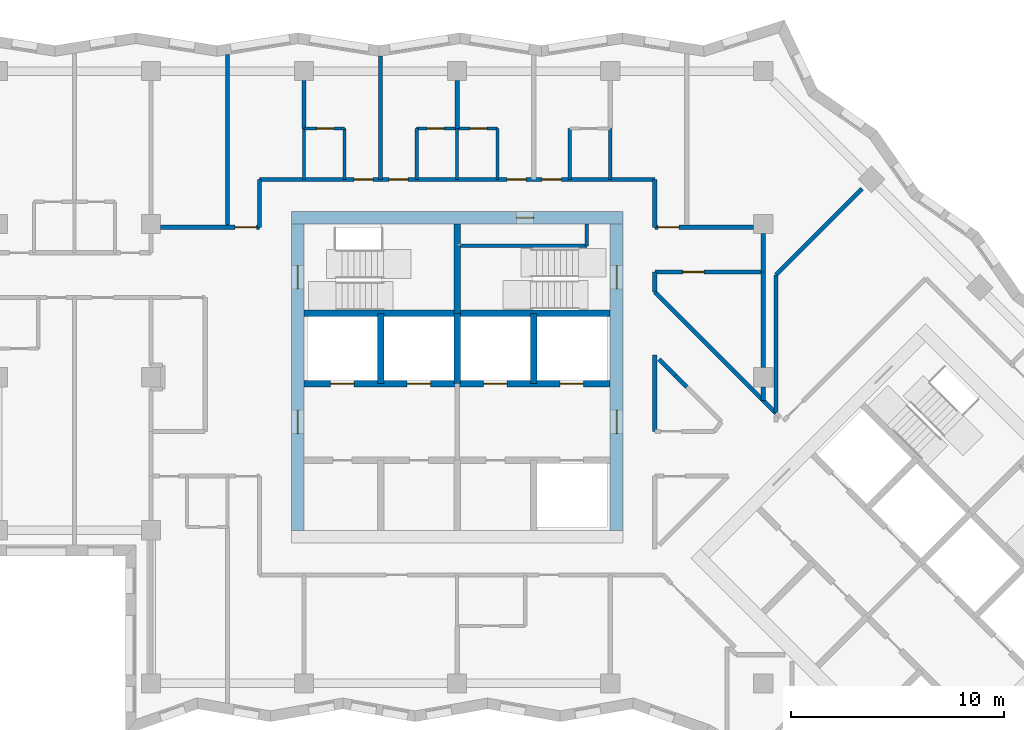
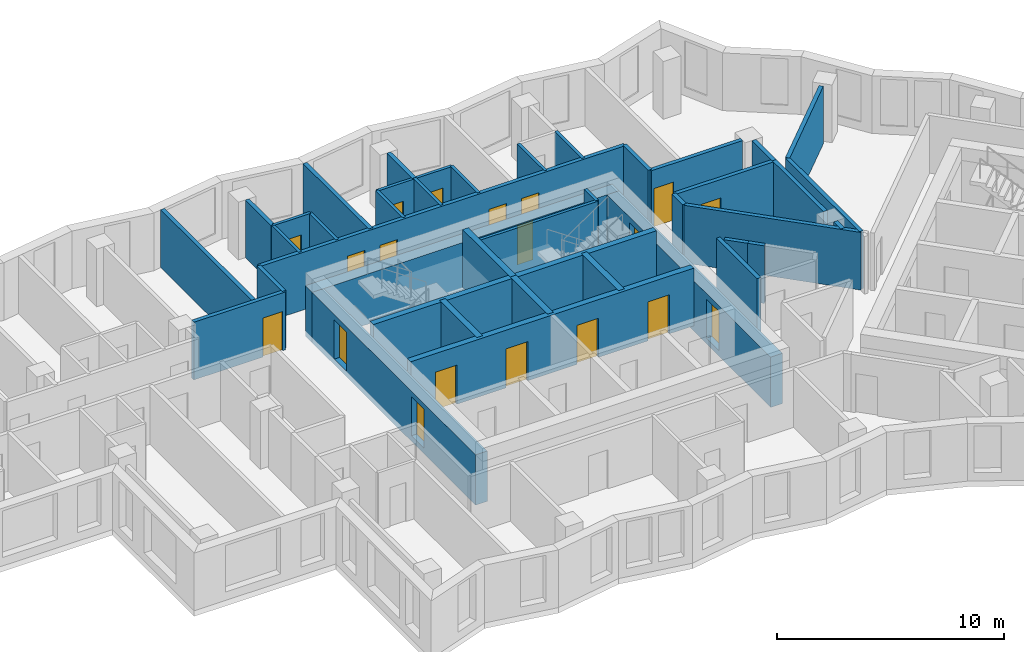
# One storey, part 6 of 12: 41 walls, 19 doors, 19 openings.
"""IFC4 building model written with IfcOpenShell, lengths in metres."""

from ifc_helpers import new_model, si_unit, direction, frame, frame_2d, origin, place, context, subcontext, project, spatial, rectangle, extrude, material, layer, layer_set, type_object, element, fill, save


model = new_model("IFC4")

# Units and contexts
model_context = context("Model", 3, precision=1e-05, world=origin(), true_north=direction((0.0, 1.0)))
body_context = subcontext(model_context, "Body", "Model", "MODEL_VIEW")
ifc_project = project(units=[si_unit("LENGTHUNIT", "METRE"), si_unit("AREAUNIT", "SQUARE_METRE"), si_unit("VOLUMEUNIT", "CUBIC_METRE"), si_unit("PLANEANGLEUNIT", "RADIAN"), si_unit("MASSUNIT", "GRAM", prefix="KILO")], contexts=[model_context])

# Site, building, storey
site_placement = place(None, origin())
site = spatial("IfcSite", under=ifc_project, at=site_placement, CompositionType="ELEMENT")
building_placement = place(site_placement, origin())
building = spatial("IfcBuilding", under=site, at=building_placement, Name="Windrow Commons", CompositionType="ELEMENT")
storey_placement = place(building_placement, frame((0.0, 0.0, 169.4)))
storey = spatial("IfcBuildingStorey", under=building, at=storey_placement, Name="L46", CompositionType="ELEMENT", Elevation=169.4)

# Wall, openings, doors
ifc_material_1 = material(Name="Blockwork partition", Category="masonry")
ifc_layer_1 = layer(ifc_material_1, 0.2)
ifc_layer_set_1 = layer_set([ifc_layer_1], Name="IW-CORRIDOR-200")
wall_type_1 = type_object("IfcWallType", Name="IW-CORRIDOR-200", PredefinedType="PARTITIONING", material=ifc_layer_set_1)
wall_1_placement = place(storey_placement, frame((55.5, 66.9, 0.0), z_axis=(0.0, 0.0, 1.0), x_axis=(1.0, 0.0, 0.0)))
wall_1 = element("IfcWall", 1, at=wall_1_placement, inside=storey, type_object=wall_type_1, Name="W-L46-W002", PredefinedType="PARTITIONING", context=body_context, shape_type="SweptSolid", body=[
    extrude(rectangle(XDim=18.6, YDim=0.2, at=frame_2d((9.3, 0.0))), origin(), (0.0, 0.0, 1.0), 3.1),
])
opening_1_placement = place(wall_1_placement, frame((4.45, 0.0, 0.0)))
opening_1 = element("IfcOpeningElement", 2, at=opening_1_placement, cuts=wall_1, Name="Opening D109S", PredefinedType="OPENING", context=body_context, shape_type="SweptSolid", body=[
    extrude(rectangle(XDim=0.9, YDim=2.1, at=frame_2d((0.45, 1.05))), frame((0.0, 0.11, 0.0), z_axis=(0.0, -1.0, 0.0), x_axis=(1.0, 0.0, 0.0)), (0.0, 0.0, 1.0), 0.22),
])
opening_2_placement = place(wall_1_placement, frame((6.1, 0.0, 0.0)))
opening_2 = element("IfcOpeningElement", 3, at=opening_2_placement, cuts=wall_1, Name="Opening D109S", PredefinedType="OPENING", context=body_context, shape_type="SweptSolid", body=[
    extrude(rectangle(XDim=0.9, YDim=2.1, at=frame_2d((0.45, 1.05))), frame((0.0, 0.11, 0.0), z_axis=(0.0, -1.0, 0.0), x_axis=(1.0, 0.0, 0.0)), (0.0, 0.0, 1.0), 0.22),
])
opening_3_placement = place(wall_1_placement, frame((11.65, 0.0, 0.0)))
opening_3 = element("IfcOpeningElement", 4, at=opening_3_placement, cuts=wall_1, Name="Opening D109S", PredefinedType="OPENING", context=body_context, shape_type="SweptSolid", body=[
    extrude(rectangle(XDim=0.9, YDim=2.1, at=frame_2d((0.45, 1.05))), frame((0.0, 0.11, 0.0), z_axis=(0.0, -1.0, 0.0), x_axis=(1.0, 0.0, 0.0)), (0.0, 0.0, 1.0), 0.22),
])
opening_4_placement = place(wall_1_placement, frame((13.3, 0.0, 0.0)))
opening_4 = element("IfcOpeningElement", 5, at=opening_4_placement, cuts=wall_1, Name="Opening D109S", PredefinedType="OPENING", context=body_context, shape_type="SweptSolid", body=[
    extrude(rectangle(XDim=0.9, YDim=2.1, at=frame_2d((0.45, 1.05))), frame((0.0, 0.11, 0.0), z_axis=(0.0, -1.0, 0.0), x_axis=(1.0, 0.0, 0.0)), (0.0, 0.0, 1.0), 0.22),
])
ifc_material_2 = material(Name="Timber door leaf", Category="wood")
door_type_1 = type_object("IfcDoorType", Name="DT-BEDROOM-900", OperationType="SINGLE_SWING_LEFT", PredefinedType="DOOR", material=ifc_material_2)
door_1_placement = place(opening_1_placement, origin())
door_1 = element("IfcDoor", 6, at=door_1_placement, inside=storey, type_object=door_type_1, Name="D-L46-D028", OperationType="SINGLE_SWING_RIGHT", OverallHeight=2.1, OverallWidth=0.9, PredefinedType="DOOR", context=body_context, shape_type="SweptSolid", body=[
    extrude(rectangle(XDim=0.9, YDim=2.1, at=frame_2d((0.45, 1.05))), frame((0.0, 0.025, 0.0), z_axis=(0.0, -1.0, 0.0), x_axis=(1.0, 0.0, 0.0)), (0.0, 0.0, 1.0), 0.05),
])
fill(opening_1, door_1)
door_2_placement = place(opening_2_placement, origin())
door_2 = element("IfcDoor", 7, at=door_2_placement, inside=storey, type_object=door_type_1, Name="D-L46-D030", OperationType="SINGLE_SWING_LEFT", OverallHeight=2.1, OverallWidth=0.9, PredefinedType="DOOR", context=body_context, shape_type="SweptSolid", body=[
    extrude(rectangle(XDim=0.9, YDim=2.1, at=frame_2d((0.45, 1.05))), frame((0.0, 0.025, 0.0), z_axis=(0.0, -1.0, 0.0), x_axis=(1.0, 0.0, 0.0)), (0.0, 0.0, 1.0), 0.05),
])
fill(opening_2, door_2)
door_3_placement = place(opening_3_placement, origin())
door_3 = element("IfcDoor", 8, at=door_3_placement, inside=storey, type_object=door_type_1, Name="D-L46-D032", OperationType="SINGLE_SWING_RIGHT", OverallHeight=2.1, OverallWidth=0.9, PredefinedType="DOOR", context=body_context, shape_type="SweptSolid", body=[
    extrude(rectangle(XDim=0.9, YDim=2.1, at=frame_2d((0.45, 1.05))), frame((0.0, 0.025, 0.0), z_axis=(0.0, -1.0, 0.0), x_axis=(1.0, 0.0, 0.0)), (0.0, 0.0, 1.0), 0.05),
])
fill(opening_3, door_3)
door_4_placement = place(opening_4_placement, origin())
door_4 = element("IfcDoor", 9, at=door_4_placement, inside=storey, type_object=door_type_1, Name="D-L46-D034", OperationType="SINGLE_SWING_LEFT", OverallHeight=2.1, OverallWidth=0.9, PredefinedType="DOOR", context=body_context, shape_type="SweptSolid", body=[
    extrude(rectangle(XDim=0.9, YDim=2.1, at=frame_2d((0.45, 1.05))), frame((0.0, 0.025, 0.0), z_axis=(0.0, -1.0, 0.0), x_axis=(1.0, 0.0, 0.0)), (0.0, 0.0, 1.0), 0.05),
])
fill(opening_4, door_4)

# Wall
wall_2_placement = place(storey_placement, frame((74.097, 61.611, 0.0), z_axis=(0.0, 0.0, 1.0), x_axis=(0.7071067812, -0.7071067812, 0.0)))
element("IfcWall", 10, at=wall_2_placement, inside=storey, type_object=wall_type_1, Name="W-L46-W016", PredefinedType="PARTITIONING", context=body_context, shape_type="SweptSolid", body=[
    extrude(rectangle(XDim=8.061, YDim=0.2, at=frame_2d((4.0305, 0.0))), origin(), (0.0, 0.0, 1.0), 3.1),
])

# Wall, opening, door
wall_3_placement = place(storey_placement, frame((74.102, 62.55, 0.0), z_axis=(0.0, 0.0, 1.0), x_axis=(1.0, 0.0, 0.0)))
wall_3 = element("IfcWall", 11, at=wall_3_placement, inside=storey, type_object=wall_type_1, Name="W-L46-W036", PredefinedType="PARTITIONING", context=body_context, shape_type="SweptSolid", body=[
    extrude(rectangle(XDim=5.098, YDim=0.2, at=frame_2d((2.549, 0.0))), origin(), (0.0, 0.0, 1.0), 3.1),
])
opening_5_placement = place(wall_3_placement, frame((1.3192, 0.0, 0.0)))
opening_5 = element("IfcOpeningElement", 12, at=opening_5_placement, cuts=wall_3, Name="Opening D310F", PredefinedType="OPENING", context=body_context, shape_type="SweptSolid", body=[
    extrude(rectangle(XDim=1.0, YDim=2.1, at=frame_2d((0.5, 1.05))), frame((0.0, 0.11, 0.0), z_axis=(0.0, -1.0, 0.0), x_axis=(1.0, 0.0, 0.0)), (0.0, 0.0, 1.0), 0.22),
])
ifc_material_3 = material(Name="Timber door leaf", Category="wood")
door_type_2 = type_object("IfcDoorType", Name="DT-AMENITY-1000", OperationType="SINGLE_SWING_LEFT", PredefinedType="DOOR", material=ifc_material_3)
door_5_placement = place(opening_5_placement, origin())
door_5 = element("IfcDoor", 13, at=door_5_placement, inside=storey, type_object=door_type_2, Name="D-L46-D040", OperationType="SINGLE_SWING_RIGHT", OverallHeight=2.1, OverallWidth=1.0, PredefinedType="DOOR", context=body_context, shape_type="SweptSolid", body=[
    extrude(rectangle(XDim=1.0, YDim=2.1, at=frame_2d((0.5, 1.05))), frame((0.0, 0.025, 0.0), z_axis=(0.0, -1.0, 0.0), x_axis=(1.0, 0.0, 0.0)), (0.0, 0.0, 1.0), 0.05),
])
fill(opening_5, door_5)

wall_4_placement = place(storey_placement, frame((50.85, 64.65, 0.0), z_axis=(0.0, 0.0, 1.0), x_axis=(1.0, 0.0, 0.0)))
wall_4 = element("IfcWall", 14, at=wall_4_placement, inside=storey, type_object=wall_type_1, Name="W-L46-W041", PredefinedType="PARTITIONING", context=body_context, shape_type="SweptSolid", body=[
    extrude(rectangle(XDim=4.65, YDim=0.2, at=frame_2d((2.325, 0.0))), origin(), (0.0, 0.0, 1.0), 3.1),
])
opening_6_placement = place(wall_4_placement, frame((3.5085, 0.0, 0.0)))
opening_6 = element("IfcOpeningElement", 15, at=opening_6_placement, cuts=wall_4, Name="Opening D310F", PredefinedType="OPENING", context=body_context, shape_type="SweptSolid", body=[
    extrude(rectangle(XDim=1.0, YDim=2.1, at=frame_2d((0.5, 1.05))), frame((0.0, 0.11, 0.0), z_axis=(0.0, -1.0, 0.0), x_axis=(1.0, 0.0, 0.0)), (0.0, 0.0, 1.0), 0.22),
])
door_6_placement = place(opening_6_placement, origin())
door_6 = element("IfcDoor", 16, at=door_6_placement, inside=storey, type_object=door_type_2, Name="D-L46-D022", OperationType="SINGLE_SWING_LEFT", OverallHeight=2.1, OverallWidth=1.0, PredefinedType="DOOR", context=body_context, shape_type="SweptSolid", body=[
    extrude(rectangle(XDim=1.0, YDim=2.1, at=frame_2d((0.5, 1.05))), frame((0.0, 0.025, 0.0), z_axis=(0.0, -1.0, 0.0), x_axis=(1.0, 0.0, 0.0)), (0.0, 0.0, 1.0), 0.05),
])
fill(opening_6, door_6)

wall_5_placement = place(storey_placement, frame((74.102, 64.65, 0.0), z_axis=(0.0, 0.0, 1.0), x_axis=(1.0, 0.0, 0.0)))
wall_5 = element("IfcWall", 17, at=wall_5_placement, inside=storey, type_object=wall_type_1, Name="W-L46-W044", PredefinedType="PARTITIONING", context=body_context, shape_type="SweptSolid", body=[
    extrude(rectangle(XDim=4.648, YDim=0.2, at=frame_2d((2.324, 0.0))), origin(), (0.0, 0.0, 1.0), 3.1),
])
opening_7_placement = place(wall_5_placement, frame((0.1395, 0.0, 0.0)))
opening_7 = element("IfcOpeningElement", 18, at=opening_7_placement, cuts=wall_5, Name="Opening D310F", PredefinedType="OPENING", context=body_context, shape_type="SweptSolid", body=[
    extrude(rectangle(XDim=1.0, YDim=2.1, at=frame_2d((0.5, 1.05))), frame((0.0, 0.11, 0.0), z_axis=(0.0, -1.0, 0.0), x_axis=(1.0, 0.0, 0.0)), (0.0, 0.0, 1.0), 0.22),
])
door_7_placement = place(opening_7_placement, origin())
door_7 = element("IfcDoor", 19, at=door_7_placement, inside=storey, type_object=door_type_2, Name="D-L46-D023", OperationType="SINGLE_SWING_RIGHT", OverallHeight=2.1, OverallWidth=1.0, PredefinedType="DOOR", context=body_context, shape_type="SweptSolid", body=[
    extrude(rectangle(XDim=1.0, YDim=2.1, at=frame_2d((0.5, 1.05))), frame((0.0, 0.025, 0.0), z_axis=(0.0, -1.0, 0.0), x_axis=(1.0, 0.0, 0.0)), (0.0, 0.0, 1.0), 0.05),
])
fill(opening_7, door_7)

# Walls
wall_6_placement = place(storey_placement, frame((74.1, 55.05, 0.0), z_axis=(0.0, 0.0, 1.0), x_axis=(0.0, 1.0, 0.0)))
element("IfcWall", 20, at=wall_6_placement, inside=storey, type_object=wall_type_1, Name="W-L46-W054", PredefinedType="PARTITIONING", context=body_context, shape_type="SweptSolid", body=[
    extrude(rectangle(XDim=3.592, YDim=0.2, at=frame_2d((1.796, 0.0))), origin(), (0.0, 0.0, 1.0), 3.1),
])
for number, where, z_axis, x_axis, name in (
    (21, (55.5, 64.652, 0.0), (0.0, 0.0, 1.0), (0.0, 1.0, 0.0), "W-L46-W107"),
    (22, (74.1, 64.652, 0.0), (0.0, 0.0, 1.0), (0.0, 1.0, 0.0), "W-L46-W108"),
):
    element("IfcWall", number, at=place(storey_placement, frame(where, z_axis=z_axis, x_axis=x_axis)), inside=storey, type_object=wall_type_1, Name=name, PredefinedType="PARTITIONING", context=body_context, shape_type="SweptSolid", body=[
        extrude(rectangle(XDim=2.248, YDim=0.2, at=frame_2d((1.124, 0.0))), origin(), (0.0, 0.0, 1.0), 3.1),
    ])
wall_7_placement = place(storey_placement, frame((79.2, 62.55, 0.0), z_axis=(0.0, 0.0, 1.0), x_axis=(0.0, 1.0, 0.0)))
element("IfcWall", 23, at=wall_7_placement, inside=storey, type_object=wall_type_1, Name="W-L46-W127", PredefinedType="PARTITIONING", context=body_context, shape_type="SweptSolid", body=[
    extrude(rectangle(XDim=1.8, YDim=0.2, at=frame_2d((0.9, 0.0))), origin(), (0.0, 0.0, 1.0), 3.1),
])
wall_8_placement = place(storey_placement, frame((74.3004, 58.4444, 0.0), z_axis=(0.0, 0.0, 1.0), x_axis=(0.7080329185, -0.7061794292, 0.0)))
element("IfcWall", 24, at=wall_8_placement, inside=storey, type_object=wall_type_1, Name="W-L46-W131", PredefinedType="PARTITIONING", context=body_context, shape_type="SweptSolid", body=[
    extrude(rectangle(XDim=1.079, YDim=0.2, at=frame_2d((0.5395, 0.0))), origin(), (0.0, 0.0, 1.0), 3.1),
])
wall_9_placement = place(storey_placement, frame((74.1, 61.614, 0.0), z_axis=(0.0, 0.0, 1.0), x_axis=(0.0, 1.0, 0.0)))
element("IfcWall", 25, at=wall_9_placement, inside=storey, type_object=wall_type_1, Name="W-L46-W136", PredefinedType="PARTITIONING", context=body_context, shape_type="SweptSolid", body=[
    extrude(rectangle(XDim=0.936, YDim=0.2, at=frame_2d((0.468, 0.0))), origin(), (0.0, 0.0, 1.0), 3.1),
])
wall_10_placement = place(storey_placement, frame((75.0652, 57.6832, 0.0), z_axis=(0.0, 0.0, 1.0), x_axis=(0.705788785, -0.7084223253, 0.0)))
element("IfcWall", 26, at=wall_10_placement, inside=storey, type_object=wall_type_1, Name="W-L46-W143", PredefinedType="PARTITIONING", context=body_context, shape_type="SweptSolid", body=[
    extrude(rectangle(XDim=0.7594, YDim=0.2, at=frame_2d((0.3797, 0.0))), origin(), (0.0, 0.0, 1.0), 3.1),
])

# Wall, openings, doors
ifc_material_4 = material(Name="Blockwork partition", Category="masonry")
ifc_layer_2 = layer(ifc_material_4, 0.15)
ifc_layer_set_2 = layer_set([ifc_layer_2], Name="IW-ENSUITE-150")
wall_type_2 = type_object("IfcWallType", Name="IW-ENSUITE-150", PredefinedType="PARTITIONING", material=ifc_layer_set_2)
wall_11_placement = place(storey_placement, frame((62.9, 69.3, 0.0), z_axis=(0.0, 0.0, 1.0), x_axis=(1.0, 0.0, 0.0)))
wall_11 = element("IfcWall", 27, at=wall_11_placement, inside=storey, type_object=wall_type_2, Name="W-L46-W052", PredefinedType="PARTITIONING", context=body_context, shape_type="SweptSolid", body=[
    extrude(rectangle(XDim=3.8, YDim=0.15, at=frame_2d((1.9, 0.0))), origin(), (0.0, 0.0, 1.0), 3.1),
])
opening_8_placement = place(wall_11_placement, frame((0.4931, 0.0, 0.0)))
opening_8 = element("IfcOpeningElement", 28, at=opening_8_placement, cuts=wall_11, Name="Opening D208N", PredefinedType="OPENING", context=body_context, shape_type="SweptSolid", body=[
    extrude(rectangle(XDim=0.8, YDim=2.1, at=frame_2d((0.4, 1.05))), frame((0.0, 0.085, 0.0), z_axis=(0.0, -1.0, 0.0), x_axis=(1.0, 0.0, 0.0)), (0.0, 0.0, 1.0), 0.17),
])
opening_9_placement = place(wall_11_placement, frame((2.5069, 0.0, 0.0)))
opening_9 = element("IfcOpeningElement", 29, at=opening_9_placement, cuts=wall_11, Name="Opening D208N", PredefinedType="OPENING", context=body_context, shape_type="SweptSolid", body=[
    extrude(rectangle(XDim=0.8, YDim=2.1, at=frame_2d((0.4, 1.05))), frame((0.0, 0.085, 0.0), z_axis=(0.0, -1.0, 0.0), x_axis=(1.0, 0.0, 0.0)), (0.0, 0.0, 1.0), 0.17),
])
ifc_material_5 = material(Name="Timber door leaf", Category="wood")
door_type_3 = type_object("IfcDoorType", Name="DT-ENSUITE-800", OperationType="SINGLE_SWING_LEFT", PredefinedType="DOOR", material=ifc_material_5)
door_8_placement = place(opening_8_placement, origin())
door_8 = element("IfcDoor", 30, at=door_8_placement, inside=storey, type_object=door_type_3, Name="D-L46-D031", OperationType="SINGLE_SWING_RIGHT", OverallHeight=2.1, OverallWidth=0.8, PredefinedType="DOOR", context=body_context, shape_type="SweptSolid", body=[
    extrude(rectangle(XDim=0.8, YDim=2.1, at=frame_2d((0.4, 1.05))), frame((0.0, 0.025, 0.0), z_axis=(0.0, -1.0, 0.0), x_axis=(1.0, 0.0, 0.0)), (0.0, 0.0, 1.0), 0.05),
])
fill(opening_8, door_8)
door_9_placement = place(opening_9_placement, origin())
door_9 = element("IfcDoor", 31, at=door_9_placement, inside=storey, type_object=door_type_3, Name="D-L46-D033", OperationType="SINGLE_SWING_RIGHT", OverallHeight=2.1, OverallWidth=0.8, PredefinedType="DOOR", context=body_context, shape_type="SweptSolid", body=[
    extrude(rectangle(XDim=0.8, YDim=2.1, at=frame_2d((0.4, 1.05))), frame((0.0, 0.025, 0.0), z_axis=(0.0, -1.0, 0.0), x_axis=(1.0, 0.0, 0.0)), (0.0, 0.0, 1.0), 0.05),
])
fill(opening_9, door_9)

# Walls
for number, where, z_axis, x_axis, name in (
    (32, (57.6, 66.9, 0.0), (0.0, 0.0, 1.0), (0.0, 1.0, 0.0), "W-L46-W086"),
    (33, (59.5, 66.9, 0.0), (0.0, 0.0, 1.0), (0.0, 1.0, 0.0), "W-L46-W087"),
    (34, (62.9, 66.9, 0.0), (0.0, 0.0, 1.0), (0.0, 1.0, 0.0), "W-L46-W088"),
    (35, (64.8, 66.9, 0.0), (0.0, 0.0, 1.0), (0.0, 1.0, 0.0), "W-L46-W089"),
    (36, (66.7, 66.9, 0.0), (0.0, 0.0, 1.0), (0.0, 1.0, 0.0), "W-L46-W090"),
    (37, (70.1, 66.9, 0.0), (0.0, 0.0, 1.0), (0.0, 1.0, 0.0), "W-L46-W091"),
    (38, (72.0, 66.9, 0.0), (0.0, 0.0, 1.0), (0.0, 1.0, 0.0), "W-L46-W092"),
):
    element("IfcWall", number, at=place(storey_placement, frame(where, z_axis=z_axis, x_axis=x_axis)), inside=storey, type_object=wall_type_2, Name=name, PredefinedType="PARTITIONING", context=body_context, shape_type="SweptSolid", body=[
        extrude(rectangle(XDim=2.4, YDim=0.15, at=frame_2d((1.2, 0.0))), origin(), (0.0, 0.0, 1.0), 3.1),
    ])

# Wall, opening, door
wall_12_placement = place(storey_placement, frame((57.6, 69.3, 0.0), z_axis=(0.0, 0.0, 1.0), x_axis=(1.0, 0.0, 0.0)))
wall_12 = element("IfcWall", 39, at=wall_12_placement, inside=storey, type_object=wall_type_2, Name="W-L46-W124", PredefinedType="PARTITIONING", context=body_context, shape_type="SweptSolid", body=[
    extrude(rectangle(XDim=1.9, YDim=0.15, at=frame_2d((0.95, 0.0))), origin(), (0.0, 0.0, 1.0), 3.1),
])
opening_10_placement = place(wall_12_placement, frame((0.6069, 0.0, 0.0)))
opening_10 = element("IfcOpeningElement", 40, at=opening_10_placement, cuts=wall_12, Name="Opening D208N", PredefinedType="OPENING", context=body_context, shape_type="SweptSolid", body=[
    extrude(rectangle(XDim=0.8, YDim=2.1, at=frame_2d((0.4, 1.05))), frame((0.0, 0.085, 0.0), z_axis=(0.0, -1.0, 0.0), x_axis=(1.0, 0.0, 0.0)), (0.0, 0.0, 1.0), 0.17),
])
door_10_placement = place(opening_10_placement, origin())
door_10 = element("IfcDoor", 41, at=door_10_placement, inside=storey, type_object=door_type_3, Name="D-L46-D029", OperationType="SINGLE_SWING_RIGHT", OverallHeight=2.1, OverallWidth=0.8, PredefinedType="DOOR", context=body_context, shape_type="SweptSolid", body=[
    extrude(rectangle(XDim=0.8, YDim=2.1, at=frame_2d((0.4, 1.05))), frame((0.0, 0.025, 0.0), z_axis=(0.0, -1.0, 0.0), x_axis=(1.0, 0.0, 0.0)), (0.0, 0.0, 1.0), 0.05),
])
fill(opening_10, door_10)

# Walls
ifc_material_6 = material(Name="Blockwork partition", Category="masonry")
ifc_layer_3 = layer(ifc_material_6, 0.2)
ifc_layer_set_3 = layer_set([ifc_layer_3], Name="IW-PARTY-200")
wall_type_3 = type_object("IfcWallType", Name="IW-PARTY-200", PredefinedType="PARTITIONING", material=ifc_layer_set_3)
wall_13_placement = place(storey_placement, frame((54.0, 64.65, 0.0), z_axis=(0.0, 0.0, 1.0), x_axis=(0.0, 1.0, 0.0)))
element("IfcWall", 42, at=wall_13_placement, inside=storey, type_object=wall_type_3, Name="W-L46-W015", PredefinedType="PARTITIONING", context=body_context, shape_type="SweptSolid", body=[
    extrude(rectangle(XDim=8.1215, YDim=0.2, at=frame_2d((4.0607, 0.0))), origin(), (0.0, 0.0, 1.0), 3.1),
])
wall_14_placement = place(storey_placement, frame((79.8, 55.914, 0.0), z_axis=(0.0, 0.0, 1.0), x_axis=(0.0, 1.0, 0.0)))
element("IfcWall", 43, at=wall_14_placement, inside=storey, type_object=wall_type_3, Name="W-L46-W021", PredefinedType="PARTITIONING", context=body_context, shape_type="SweptSolid", body=[
    extrude(rectangle(XDim=6.504, YDim=0.2, at=frame_2d((3.252, 0.0))), origin(), (0.0, 0.0, 1.0), 3.1),
])
wall_15_placement = place(storey_placement, frame((61.2, 66.9, 0.0), z_axis=(0.0, 0.0, 1.0), x_axis=(0.0, 1.0, 0.0)))
element("IfcWall", 44, at=wall_15_placement, inside=storey, type_object=wall_type_3, Name="W-L46-W031", PredefinedType="PARTITIONING", context=body_context, shape_type="SweptSolid", body=[
    extrude(rectangle(XDim=5.8043, YDim=0.2, at=frame_2d((2.9021, 0.0))), origin(), (0.0, 0.0, 1.0), 3.1),
])
wall_16_placement = place(storey_placement, frame((79.7993, 62.4187, 0.0), z_axis=(0.0, 0.0, 1.0), x_axis=(0.7071067812, 0.7071067812, 0.0)))
element("IfcWall", 45, at=wall_16_placement, inside=storey, type_object=wall_type_3, Name="W-L46-W032", PredefinedType="PARTITIONING", context=body_context, shape_type="SweptSolid", body=[
    extrude(rectangle(XDim=5.7163, YDim=0.2, at=frame_2d((2.8582, 0.0))), origin(), (0.0, 0.0, 1.0), 3.1),
])
wall_17_placement = place(storey_placement, frame((79.2, 58.05, 0.0), z_axis=(0.0, 0.0, 1.0), x_axis=(0.0, 1.0, 0.0)))
element("IfcWall", 46, at=wall_17_placement, inside=storey, type_object=wall_type_3, Name="W-L46-W046", PredefinedType="PARTITIONING", context=body_context, shape_type="SweptSolid", body=[
    extrude(rectangle(XDim=4.5, YDim=0.2, at=frame_2d((2.25, 0.0))), origin(), (0.0, 0.0, 1.0), 3.1),
])
for number, where, z_axis, x_axis, name in (
    (47, (57.6, 69.3, 0.0), (0.0, 0.0, 1.0), (0.0, 1.0, 0.0), "W-L46-W103"),
    (48, (64.8, 69.3, 0.0), (0.0, 0.0, 1.0), (0.0, 1.0, 0.0), "W-L46-W105"),
):
    element("IfcWall", number, at=place(storey_placement, frame(where, z_axis=z_axis, x_axis=x_axis)), inside=storey, type_object=wall_type_3, Name=name, PredefinedType="PARTITIONING", context=body_context, shape_type="SweptSolid", body=[
        extrude(rectangle(XDim=2.25, YDim=0.2, at=frame_2d((1.125, 0.0))), origin(), (0.0, 0.0, 1.0), 3.1),
    ])
wall_18_placement = place(storey_placement, frame((79.2, 56.514, 0.0), z_axis=(0.0, 0.0, 1.0), x_axis=(0.0, 1.0, 0.0)))
element("IfcWall", 49, at=wall_18_placement, inside=storey, type_object=wall_type_3, Name="W-L46-W148", PredefinedType="PARTITIONING", context=body_context, shape_type="SweptSolid", body=[
    extrude(rectangle(XDim=0.636, YDim=0.2, at=frame_2d((0.318, 0.0))), origin(), (0.0, 0.0, 1.0), 3.1),
])

# Wall, opening, door
ifc_material_7 = material(Name="Concrete C50/60", Category="concrete")
ifc_layer_4 = layer(ifc_material_7, 0.6)
ifc_layer_set_4 = layer_set([ifc_layer_4], Name="RC CORE WALL 600 C50/60")
wall_type_4 = type_object("IfcWallType", Name="RC CORE WALL 600 C50/60", PredefinedType="SHEAR", material=ifc_layer_set_4)
wall_19_placement = place(storey_placement, frame((57.0, 65.1, -0.3), z_axis=(0.0, 0.0, 1.0), x_axis=(1.0, 0.0, 0.0)))
wall_19 = element("IfcWall", 50, at=wall_19_placement, inside=storey, type_object=wall_type_4, Name="Core A wall outer-N", PredefinedType="SHEAR", context=body_context, shape_type="SweptSolid", body=[
    extrude(rectangle(XDim=15.6, YDim=0.6, at=frame_2d((7.8, 0.0))), origin(), (0.0, 0.0, 1.0), 2.7),
])
opening_11_placement = place(wall_19_placement, frame((10.6, 0.0, 0.3)))
opening_11 = element("IfcOpeningElement", 51, at=opening_11_placement, cuts=wall_19, Name="Opening D9", PredefinedType="OPENING", context=body_context, shape_type="SweptSolid", body=[
    extrude(rectangle(XDim=0.8, YDim=2.1, at=frame_2d((0.4, 1.05))), frame((0.0, 0.31, 0.0), z_axis=(0.0, -1.0, 0.0), x_axis=(1.0, 0.0, 0.0)), (0.0, 0.0, 1.0), 0.62),
])
ifc_material_8 = material(Name="Steel fire door leaf", Category="steel")
door_type_4 = type_object("IfcDoorType", Name="Riser access door 800", OperationType="SINGLE_SWING_LEFT", PredefinedType="DOOR", material=ifc_material_8)
door_11_placement = place(opening_11_placement, origin())
door_11 = element("IfcDoor", 52, at=door_11_placement, inside=storey, type_object=door_type_4, Name="Riser access door", OperationType="SINGLE_SWING_RIGHT", OverallHeight=2.1, OverallWidth=0.8, PredefinedType="DOOR", context=body_context, shape_type="SweptSolid", body=[
    extrude(rectangle(XDim=0.8, YDim=2.1, at=frame_2d((0.4, 1.05))), frame((0.0, 0.025, 0.0), z_axis=(0.0, -1.0, 0.0), x_axis=(1.0, 0.0, 0.0)), (0.0, 0.0, 1.0), 0.05),
])
fill(opening_11, door_11)

# Wall, openings, doors
wall_20_placement = place(storey_placement, frame((57.3, 50.4, -0.3), z_axis=(0.0, 0.0, 1.0), x_axis=(0.0, 1.0, 0.0)))
wall_20 = element("IfcWall", 53, at=wall_20_placement, inside=storey, type_object=wall_type_4, Name="Core A wall outer-W", PredefinedType="SHEAR", context=body_context, shape_type="SweptSolid", body=[
    extrude(rectangle(XDim=14.4, YDim=0.6, at=frame_2d((7.2, 0.0))), origin(), (0.0, 0.0, 1.0), 2.7),
])
opening_12_placement = place(wall_20_placement, frame((4.55, 0.0, 0.3)))
opening_12 = element("IfcOpeningElement", 54, at=opening_12_placement, cuts=wall_20, Name="Opening D6", PredefinedType="OPENING", context=body_context, shape_type="SweptSolid", body=[
    extrude(rectangle(XDim=1.1, YDim=2.1, at=frame_2d((0.55, 1.05))), frame((0.0, 0.31, 0.0), z_axis=(0.0, -1.0, 0.0), x_axis=(1.0, 0.0, 0.0)), (0.0, 0.0, 1.0), 0.62),
])
opening_13_placement = place(wall_20_placement, frame((11.35, 0.0, 0.3)))
opening_13 = element("IfcOpeningElement", 55, at=opening_13_placement, cuts=wall_20, Name="Opening D7", PredefinedType="OPENING", context=body_context, shape_type="SweptSolid", body=[
    extrude(rectangle(XDim=1.1, YDim=2.1, at=frame_2d((0.55, 1.05))), frame((0.0, 0.31, 0.0), z_axis=(0.0, -1.0, 0.0), x_axis=(1.0, 0.0, 0.0)), (0.0, 0.0, 1.0), 0.62),
])
ifc_material_9 = material(Name="Steel fire door leaf", Category="steel")
door_type_5 = type_object("IfcDoorType", Name="Core lobby door 1100", OperationType="SINGLE_SWING_LEFT", PredefinedType="DOOR", material=ifc_material_9)
door_12_placement = place(opening_12_placement, origin())
door_12 = element("IfcDoor", 56, at=door_12_placement, inside=storey, type_object=door_type_5, Name="Lift lobby door", OperationType="DOUBLE_DOOR_SINGLE_SWING", OverallHeight=2.1, OverallWidth=1.1, PredefinedType="DOOR", context=body_context, shape_type="SweptSolid", body=[
    extrude(rectangle(XDim=1.1, YDim=2.1, at=frame_2d((0.55, 1.05))), frame((0.0, 0.025, 0.0), z_axis=(0.0, -1.0, 0.0), x_axis=(1.0, 0.0, 0.0)), (0.0, 0.0, 1.0), 0.05),
])
fill(opening_12, door_12)
ifc_material_10 = material(Name="Steel fire door leaf", Category="steel")
door_type_6 = type_object("IfcDoorType", Name="Stair door 1100", OperationType="SINGLE_SWING_LEFT", PredefinedType="DOOR", material=ifc_material_10)
door_13_placement = place(opening_13_placement, origin())
door_13 = element("IfcDoor", 57, at=door_13_placement, inside=storey, type_object=door_type_6, Name="Stair door", OperationType="SINGLE_SWING_LEFT", OverallHeight=2.1, OverallWidth=1.1, PredefinedType="DOOR", context=body_context, shape_type="SweptSolid", body=[
    extrude(rectangle(XDim=1.1, YDim=2.1, at=frame_2d((0.55, 1.05))), frame((0.0, 0.025, 0.0), z_axis=(0.0, -1.0, 0.0), x_axis=(1.0, 0.0, 0.0)), (0.0, 0.0, 1.0), 0.05),
])
fill(opening_13, door_13)

wall_21_placement = place(storey_placement, frame((72.3, 50.4, -0.3), z_axis=(0.0, 0.0, 1.0), x_axis=(0.0, 1.0, 0.0)))
wall_21 = element("IfcWall", 58, at=wall_21_placement, inside=storey, type_object=wall_type_4, Name="Core A wall outer-E", PredefinedType="SHEAR", context=body_context, shape_type="SweptSolid", body=[
    extrude(rectangle(XDim=14.4, YDim=0.6, at=frame_2d((7.2, 0.0))), origin(), (0.0, 0.0, 1.0), 2.7),
])
opening_14_placement = place(wall_21_placement, frame((4.55, 0.0, 0.3)))
opening_14 = element("IfcOpeningElement", 59, at=opening_14_placement, cuts=wall_21, Name="Opening D6", PredefinedType="OPENING", context=body_context, shape_type="SweptSolid", body=[
    extrude(rectangle(XDim=1.1, YDim=2.1, at=frame_2d((0.55, 1.05))), frame((0.0, 0.31, 0.0), z_axis=(0.0, -1.0, 0.0), x_axis=(1.0, 0.0, 0.0)), (0.0, 0.0, 1.0), 0.62),
])
opening_15_placement = place(wall_21_placement, frame((11.35, 0.0, 0.3)))
opening_15 = element("IfcOpeningElement", 60, at=opening_15_placement, cuts=wall_21, Name="Opening D7", PredefinedType="OPENING", context=body_context, shape_type="SweptSolid", body=[
    extrude(rectangle(XDim=1.1, YDim=2.1, at=frame_2d((0.55, 1.05))), frame((0.0, 0.31, 0.0), z_axis=(0.0, -1.0, 0.0), x_axis=(1.0, 0.0, 0.0)), (0.0, 0.0, 1.0), 0.62),
])
door_14_placement = place(opening_14_placement, origin())
door_14 = element("IfcDoor", 61, at=door_14_placement, inside=storey, type_object=door_type_5, Name="Lift lobby door", OperationType="DOUBLE_DOOR_SINGLE_SWING", OverallHeight=2.1, OverallWidth=1.1, PredefinedType="DOOR", context=body_context, shape_type="SweptSolid", body=[
    extrude(rectangle(XDim=1.1, YDim=2.1, at=frame_2d((0.55, 1.05))), frame((0.0, 0.025, 0.0), z_axis=(0.0, -1.0, 0.0), x_axis=(1.0, 0.0, 0.0)), (0.0, 0.0, 1.0), 0.05),
])
fill(opening_14, door_14)
door_15_placement = place(opening_15_placement, origin())
door_15 = element("IfcDoor", 62, at=door_15_placement, inside=storey, type_object=door_type_6, Name="Stair door", OperationType="SINGLE_SWING_RIGHT", OverallHeight=2.1, OverallWidth=1.1, PredefinedType="DOOR", context=body_context, shape_type="SweptSolid", body=[
    extrude(rectangle(XDim=1.1, YDim=2.1, at=frame_2d((0.55, 1.05))), frame((0.0, 0.025, 0.0), z_axis=(0.0, -1.0, 0.0), x_axis=(1.0, 0.0, 0.0)), (0.0, 0.0, 1.0), 0.05),
])
fill(opening_15, door_15)

# Walls
ifc_material_11 = material(Name="Concrete C50/60", Category="concrete")
ifc_layer_5 = layer(ifc_material_11, 0.3)
ifc_layer_set_5 = layer_set([ifc_layer_5], Name="RC SHAFT WALL 300 C50/60")
wall_type_5 = type_object("IfcWallType", Name="RC SHAFT WALL 300 C50/60", PredefinedType="SOLIDWALL", material=ifc_layer_set_5)
for number, where, z_axis, x_axis, name in (
    (63, (61.2, 57.3, 0.0), (0.0, 0.0, 1.0), (0.0, 1.0, 0.0), "Core A wall shaft-N1"),
    (64, (64.8, 57.3, 0.0), (0.0, 0.0, 1.0), (0.0, 1.0, 0.0), "Core A wall shaft-N2"),
    (65, (68.4, 57.3, 0.0), (0.0, 0.0, 1.0), (0.0, 1.0, 0.0), "Core A wall shaft-N3"),
):
    element("IfcWall", number, at=place(storey_placement, frame(where, z_axis=z_axis, x_axis=x_axis)), inside=storey, type_object=wall_type_5, Name=name, PredefinedType="SOLIDWALL", context=body_context, shape_type="SweptSolid", body=[
        extrude(rectangle(XDim=3.3, YDim=0.3, at=frame_2d((1.65, 0.0))), origin(), (0.0, 0.0, 1.0), 3.1),
    ])

# Wall, openings, doors
wall_22_placement = place(storey_placement, frame((57.6, 57.3, 0.0), z_axis=(0.0, 0.0, 1.0), x_axis=(1.0, 0.0, 0.0)))
wall_22 = element("IfcWall", 66, at=wall_22_placement, inside=storey, type_object=wall_type_5, Name="Core A wall lobby-N", PredefinedType="SOLIDWALL", context=body_context, shape_type="SweptSolid", body=[
    extrude(rectangle(XDim=14.4, YDim=0.3, at=frame_2d((7.2, 0.0))), origin(), (0.0, 0.0, 1.0), 3.1),
])
opening_16_placement = place(wall_22_placement, frame((1.25, 0.0, 0.0)))
opening_16 = element("IfcOpeningElement", 67, at=opening_16_placement, cuts=wall_22, Name="Opening LD", PredefinedType="OPENING", context=body_context, shape_type="SweptSolid", body=[
    extrude(rectangle(XDim=1.1, YDim=2.1, at=frame_2d((0.55, 1.05))), frame((0.0, 0.16, 0.0), z_axis=(0.0, -1.0, 0.0), x_axis=(1.0, 0.0, 0.0)), (0.0, 0.0, 1.0), 0.32),
])
opening_17_placement = place(wall_22_placement, frame((4.85, 0.0, 0.0)))
opening_17 = element("IfcOpeningElement", 68, at=opening_17_placement, cuts=wall_22, Name="Opening LD", PredefinedType="OPENING", context=body_context, shape_type="SweptSolid", body=[
    extrude(rectangle(XDim=1.1, YDim=2.1, at=frame_2d((0.55, 1.05))), frame((0.0, 0.16, 0.0), z_axis=(0.0, -1.0, 0.0), x_axis=(1.0, 0.0, 0.0)), (0.0, 0.0, 1.0), 0.32),
])
opening_18_placement = place(wall_22_placement, frame((8.45, 0.0, 0.0)))
opening_18 = element("IfcOpeningElement", 69, at=opening_18_placement, cuts=wall_22, Name="Opening LD", PredefinedType="OPENING", context=body_context, shape_type="SweptSolid", body=[
    extrude(rectangle(XDim=1.1, YDim=2.1, at=frame_2d((0.55, 1.05))), frame((0.0, 0.16, 0.0), z_axis=(0.0, -1.0, 0.0), x_axis=(1.0, 0.0, 0.0)), (0.0, 0.0, 1.0), 0.32),
])
opening_19_placement = place(wall_22_placement, frame((12.05, 0.0, 0.0)))
opening_19 = element("IfcOpeningElement", 70, at=opening_19_placement, cuts=wall_22, Name="Opening LD", PredefinedType="OPENING", context=body_context, shape_type="SweptSolid", body=[
    extrude(rectangle(XDim=1.1, YDim=2.1, at=frame_2d((0.55, 1.05))), frame((0.0, 0.16, 0.0), z_axis=(0.0, -1.0, 0.0), x_axis=(1.0, 0.0, 0.0)), (0.0, 0.0, 1.0), 0.32),
])
ifc_material_12 = material(Name="Stainless steel door leaf", Category="steel")
door_type_7 = type_object("IfcDoorType", Name="Lift landing door 1100", OperationType="SLIDING_TO_LEFT", PredefinedType="DOOR", material=ifc_material_12)
door_16_placement = place(opening_16_placement, origin())
door_16 = element("IfcDoor", 71, at=door_16_placement, inside=storey, type_object=door_type_7, Name="Lift landing door", OperationType="SLIDING_TO_LEFT", OverallHeight=2.1, OverallWidth=1.1, PredefinedType="DOOR", context=body_context, shape_type="SweptSolid", body=[
    extrude(rectangle(XDim=1.1, YDim=2.1, at=frame_2d((0.55, 1.05))), frame((0.0, 0.025, 0.0), z_axis=(0.0, -1.0, 0.0), x_axis=(1.0, 0.0, 0.0)), (0.0, 0.0, 1.0), 0.05),
])
fill(opening_16, door_16)
door_17_placement = place(opening_17_placement, origin())
door_17 = element("IfcDoor", 72, at=door_17_placement, inside=storey, type_object=door_type_7, Name="Lift landing door", OperationType="SLIDING_TO_RIGHT", OverallHeight=2.1, OverallWidth=1.1, PredefinedType="DOOR", context=body_context, shape_type="SweptSolid", body=[
    extrude(rectangle(XDim=1.1, YDim=2.1, at=frame_2d((0.55, 1.05))), frame((0.0, 0.025, 0.0), z_axis=(0.0, -1.0, 0.0), x_axis=(1.0, 0.0, 0.0)), (0.0, 0.0, 1.0), 0.05),
])
fill(opening_17, door_17)
door_18_placement = place(opening_18_placement, origin())
door_18 = element("IfcDoor", 73, at=door_18_placement, inside=storey, type_object=door_type_7, Name="Lift landing door", OperationType="SLIDING_TO_LEFT", OverallHeight=2.1, OverallWidth=1.1, PredefinedType="DOOR", context=body_context, shape_type="SweptSolid", body=[
    extrude(rectangle(XDim=1.1, YDim=2.1, at=frame_2d((0.55, 1.05))), frame((0.0, 0.025, 0.0), z_axis=(0.0, -1.0, 0.0), x_axis=(1.0, 0.0, 0.0)), (0.0, 0.0, 1.0), 0.05),
])
fill(opening_18, door_18)
door_19_placement = place(opening_19_placement, origin())
door_19 = element("IfcDoor", 74, at=door_19_placement, inside=storey, type_object=door_type_7, Name="Lift landing door", OperationType="SLIDING_TO_RIGHT", OverallHeight=2.1, OverallWidth=1.1, PredefinedType="DOOR", context=body_context, shape_type="SweptSolid", body=[
    extrude(rectangle(XDim=1.1, YDim=2.1, at=frame_2d((0.55, 1.05))), frame((0.0, 0.025, 0.0), z_axis=(0.0, -1.0, 0.0), x_axis=(1.0, 0.0, 0.0)), (0.0, 0.0, 1.0), 0.05),
])
fill(opening_19, door_19)

# Walls
for number, where, z_axis, x_axis, name in (
    (75, (57.6, 60.6, 0.0), (0.0, 0.0, 1.0), (1.0, 0.0, 0.0), "Core A wall stair-S"),
    (76, (64.8, 60.6, 0.0), (0.0, 0.0, 1.0), (1.0, 0.0, 0.0), "Core A wall stair-S2"),
):
    element("IfcWall", number, at=place(storey_placement, frame(where, z_axis=z_axis, x_axis=x_axis)), inside=storey, type_object=wall_type_5, Name=name, PredefinedType="SOLIDWALL", context=body_context, shape_type="SweptSolid", body=[
        extrude(rectangle(XDim=7.2, YDim=0.3, at=frame_2d((3.6, 0.0))), origin(), (0.0, 0.0, 1.0), 3.1),
    ])
wall_23_placement = place(storey_placement, frame((64.8, 60.6, 0.0), z_axis=(0.0, 0.0, 1.0), x_axis=(0.0, 1.0, 0.0)))
element("IfcWall", 77, at=wall_23_placement, inside=storey, type_object=wall_type_5, Name="Core A wall stair-mid", PredefinedType="SOLIDWALL", context=body_context, shape_type="SweptSolid", body=[
    extrude(rectangle(XDim=4.2, YDim=0.3, at=frame_2d((2.1, 0.0))), origin(), (0.0, 0.0, 1.0), 3.1),
])
ifc_material_13 = material(Name="Blockwork partition", Category="masonry")
ifc_layer_6 = layer(ifc_material_13, 0.15)
ifc_layer_set_6 = layer_set([ifc_layer_6], Name="Riser partition 150")
wall_type_6 = type_object("IfcWallType", Name="Riser partition 150", PredefinedType="PARTITIONING", material=ifc_layer_set_6)
wall_24_placement = place(storey_placement, frame((64.95, 63.78, 0.0), z_axis=(0.0, 0.0, 1.0), x_axis=(1.0, 0.0, 0.0)))
element("IfcWall", 78, at=wall_24_placement, inside=storey, type_object=wall_type_6, Name="W-core-strip-A-L46", PredefinedType="PARTITIONING", context=body_context, shape_type="SweptSolid", body=[
    extrude(rectangle(XDim=5.95, YDim=0.15, at=frame_2d((2.975, 0.0))), origin(), (0.0, 0.0, 1.0), 3.1),
])
wall_25_placement = place(storey_placement, frame((70.9, 63.78, 0.0), z_axis=(0.0, 0.0, 1.0), x_axis=(0.0, 1.0, 0.0)))
element("IfcWall", 79, at=wall_25_placement, inside=storey, type_object=wall_type_6, Name="W-core-stripx-A-L46-1", PredefinedType="PARTITIONING", context=body_context, shape_type="SweptSolid", body=[
    extrude(rectangle(XDim=1.02, YDim=0.15, at=frame_2d((0.51, 0.0))), origin(), (0.0, 0.0, 1.0), 3.1),
])

save(model, "model.ifc")
